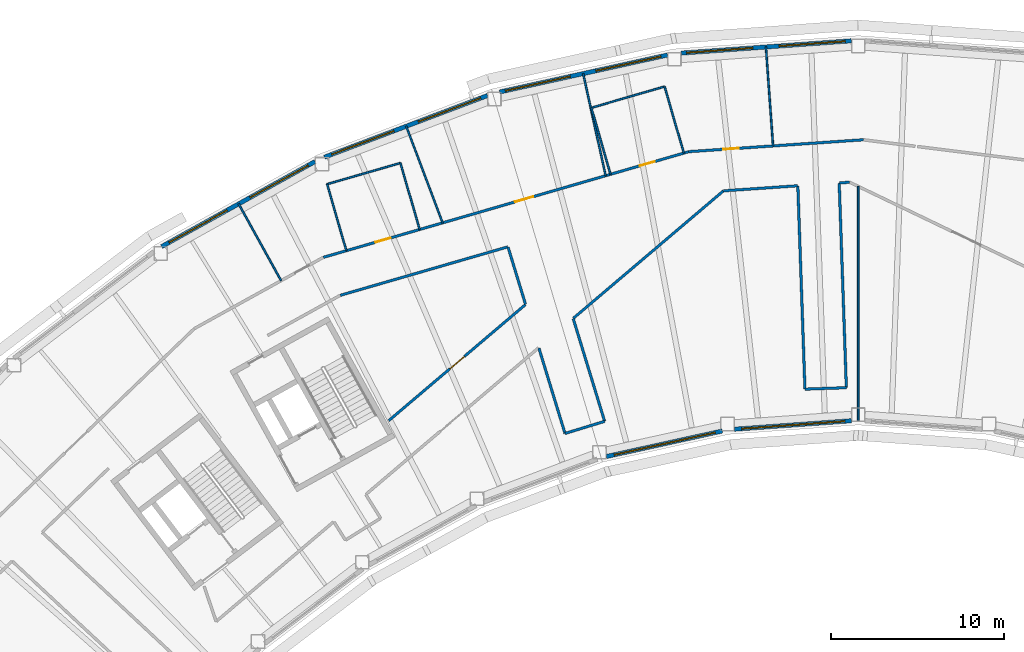
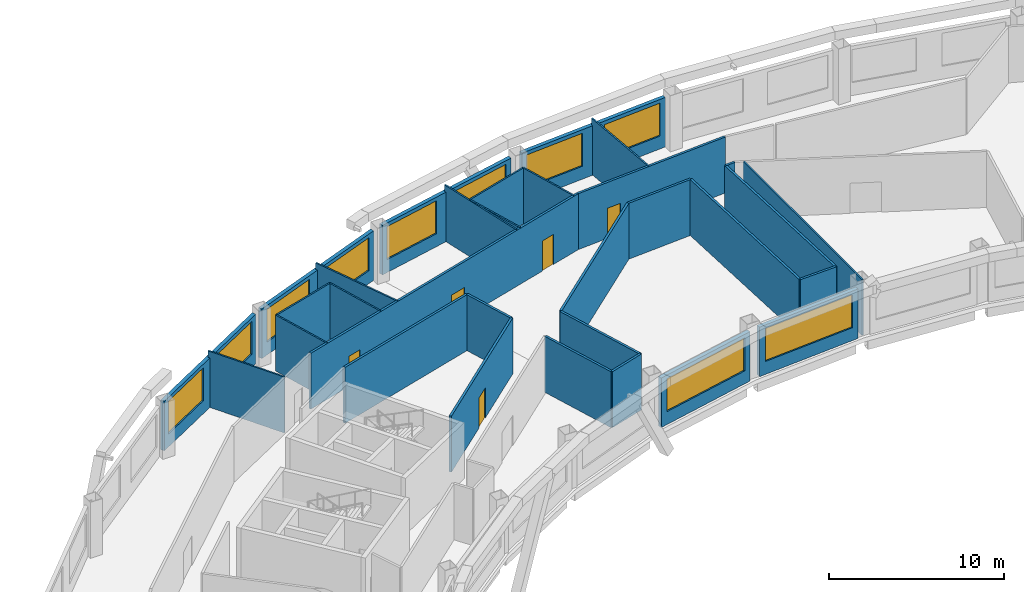
# One storey, part 6 of 15: 31 walls, 10 windows, 5 doors, 15 openings.
"""IFC4 building model written with IfcOpenShell, lengths in metres."""

from ifc_helpers import new_model, si_unit, direction, frame, frame_2d, origin, place, context, subcontext, project, spatial, rectangle, extrude, material, layer, layer_set, type_object, element, fill, save


model = new_model("IFC4")

# Units and contexts
model_context = context("Model", 3, precision=1e-05, world=origin(), true_north=direction((0.0, 1.0)))
body_context = subcontext(model_context, "Body", "Model", "MODEL_VIEW")
ifc_project = project(units=[si_unit("LENGTHUNIT", "METRE"), si_unit("AREAUNIT", "SQUARE_METRE"), si_unit("VOLUMEUNIT", "CUBIC_METRE"), si_unit("PLANEANGLEUNIT", "RADIAN"), si_unit("MASSUNIT", "GRAM", prefix="KILO")], contexts=[model_context])

# Site, building, storey
site_placement = place(None, origin())
site = spatial("IfcSite", under=ifc_project, at=site_placement, CompositionType="ELEMENT")
building_placement = place(site_placement, origin())
building = spatial("IfcBuilding", under=site, at=building_placement, Name="Tuul Gate Civic Tower", CompositionType="ELEMENT")
storey_placement = place(building_placement, frame((0.0, 0.0, 332.300048828125)))
storey = spatial("IfcBuildingStorey", under=building, at=storey_placement, Name="Level 75", CompositionType="ELEMENT", Elevation=332.300048828125)

# Wall, opening, door
ifc_material_1 = material(Name="Gypsum board partition")
ifc_layer_1 = layer(ifc_material_1, 0.14990234375)
ifc_layer_set_1 = layer_set([ifc_layer_1], Name="Gypsum board partition")
wall_type_1 = type_object("IfcWallType", Name="Corridor wall P150", PredefinedType="PARTITIONING", material=ifc_layer_set_1)
wall_1_placement = place(storey_placement, frame((-7.627197265625, 7.70263671875, 0.0), z_axis=(0.0, 0.0, 1.0), x_axis=(0.997685066746, 0.068003732193, 0.0)))
wall_1 = element("IfcWall", 1, at=wall_1_placement, inside=storey, type_object=wall_type_1, Name="p003", PredefinedType="PARTITIONING", context=body_context, shape_type="SweptSolid", body=[
    extrude(rectangle(XDim=10.138427734375, YDim=0.14990234375, at=frame_2d((5.0693359375, 0.0))), origin(), (0.0, 0.0, 1.0), 3.89990234375),
])
opening_1_placement = place(wall_1_placement, frame((2.013671875, 0.0, 0.0)))
opening_1 = element("IfcOpeningElement", 2, at=opening_1_placement, cuts=wall_1, Name="Opening AB-D11", PredefinedType="OPENING", context=body_context, shape_type="SweptSolid", body=[
    extrude(rectangle(XDim=0.89990234375, YDim=2.10009765625, at=frame_2d((0.449951171875, 1.050048828125))), frame((0.0, 0.0849609375, 0.0), z_axis=(0.0, -1.0, 0.0), x_axis=(1.0, 0.0, 0.0)), (0.0, 0.0, 1.0), 0.169921875),
])
ifc_material_2 = material(Name="Timber door leaf", Category="wood")
door_type_1 = type_object("IfcDoorType", Name="Door D09", OperationType="NOTDEFINED", PredefinedType="DOOR", material=ifc_material_2)
door_1_placement = place(opening_1_placement, origin())
door_1 = element("IfcDoor", 3, at=door_1_placement, inside=storey, type_object=door_type_1, Name="Door AB-D11", OperationType="SINGLE_SWING_RIGHT", OverallHeight=2.10009765625, OverallWidth=0.89990234375, PredefinedType="DOOR", context=body_context, shape_type="SweptSolid", body=[
    extrude(rectangle(XDim=0.89990234375, YDim=2.10009765625, at=frame_2d((0.449951171875, 1.050048828125))), frame((0.0, 0.02490234375, 0.0), z_axis=(0.0, -1.0, 0.0), x_axis=(1.0, 0.0, 0.0)), (0.0, 0.0, 1.0), 0.050048828125),
])
fill(opening_1, door_1)

# Wall, openings, doors
wall_2_placement = place(storey_placement, frame((-28.7939453125, 1.5810546875, 0.0), z_axis=(0.0, 0.0, 1.0), x_axis=(0.960632535505, 0.277822122461, 0.0)))
wall_2 = element("IfcWall", 4, at=wall_2_placement, inside=storey, type_object=wall_type_1, Name="p017", PredefinedType="PARTITIONING", context=body_context, shape_type="SweptSolid", body=[
    extrude(rectangle(XDim=22.0341796875, YDim=0.14990234375, at=frame_2d((11.01708984375, 0.0))), origin(), (0.0, 0.0, 1.0), 3.89990234375),
])
opening_2_placement = place(wall_2_placement, frame((19.080078125, 0.0, 0.0)))
opening_2 = element("IfcOpeningElement", 5, at=opening_2_placement, cuts=wall_2, Name="Opening AB-D02", PredefinedType="OPENING", context=body_context, shape_type="SweptSolid", body=[
    extrude(rectangle(XDim=0.89990234375, YDim=2.10009765625, at=frame_2d((0.449951171875, 1.050048828125))), frame((0.0, 0.0849609375, 0.0), z_axis=(0.0, -1.0, 0.0), x_axis=(1.0, 0.0, 0.0)), (0.0, 0.0, 1.0), 0.169921875),
])
opening_3_placement = place(wall_2_placement, frame((11.562744140625, 0.0, 0.0)))
opening_3 = element("IfcOpeningElement", 6, at=opening_3_placement, cuts=wall_2, Name="Opening AB-D03", PredefinedType="OPENING", context=body_context, shape_type="SweptSolid", body=[
    extrude(rectangle(XDim=1.10009765625, YDim=2.10009765625, at=frame_2d((0.550048828125, 1.050048828125))), frame((0.0, 0.0849609375, 0.0), z_axis=(0.0, -1.0, 0.0), x_axis=(1.0, 0.0, 0.0)), (0.0, 0.0, 1.0), 0.169921875),
])
opening_4_placement = place(wall_2_placement, frame((3.14990234375, 0.0, 0.0)))
opening_4 = element("IfcOpeningElement", 7, at=opening_4_placement, cuts=wall_2, Name="Opening AB-D04", PredefinedType="OPENING", context=body_context, shape_type="SweptSolid", body=[
    extrude(rectangle(XDim=0.89990234375, YDim=2.10009765625, at=frame_2d((0.449951171875, 1.050048828125))), frame((0.0, 0.0849609375, 0.0), z_axis=(0.0, -1.0, 0.0), x_axis=(1.0, 0.0, 0.0)), (0.0, 0.0, 1.0), 0.169921875),
])
door_2_placement = place(opening_2_placement, origin())
door_2 = element("IfcDoor", 8, at=door_2_placement, inside=storey, type_object=door_type_1, Name="Door AB-D02", OperationType="SINGLE_SWING_RIGHT", OverallHeight=2.10009765625, OverallWidth=0.89990234375, PredefinedType="DOOR", context=body_context, shape_type="SweptSolid", body=[
    extrude(rectangle(XDim=0.89990234375, YDim=2.10009765625, at=frame_2d((0.449951171875, 1.050048828125))), frame((0.0, 0.02490234375, 0.0), z_axis=(0.0, -1.0, 0.0), x_axis=(1.0, 0.0, 0.0)), (0.0, 0.0, 1.0), 0.050048828125),
])
fill(opening_2, door_2)
door_3_placement = place(opening_4_placement, origin())
door_3 = element("IfcDoor", 9, at=door_3_placement, inside=storey, type_object=door_type_1, Name="Door AB-D04", OperationType="SINGLE_SWING_RIGHT", OverallHeight=2.10009765625, OverallWidth=0.89990234375, PredefinedType="DOOR", context=body_context, shape_type="SweptSolid", body=[
    extrude(rectangle(XDim=0.89990234375, YDim=2.10009765625, at=frame_2d((0.449951171875, 1.050048828125))), frame((0.0, 0.02490234375, 0.0), z_axis=(0.0, -1.0, 0.0), x_axis=(1.0, 0.0, 0.0)), (0.0, 0.0, 1.0), 0.050048828125),
])
fill(opening_4, door_3)
ifc_material_3 = material(Name="Timber door leaf", Category="wood")
door_type_2 = type_object("IfcDoorType", Name="Door D11", OperationType="NOTDEFINED", PredefinedType="DOOR", material=ifc_material_3)
door_4_placement = place(opening_3_placement, origin())
door_4 = element("IfcDoor", 10, at=door_4_placement, inside=storey, type_object=door_type_2, Name="Door AB-D03", OperationType="SINGLE_SWING_RIGHT", OverallHeight=2.10009765625, OverallWidth=1.10009765625, PredefinedType="DOOR", context=body_context, shape_type="SweptSolid", body=[
    extrude(rectangle(XDim=1.10009765625, YDim=2.10009765625, at=frame_2d((0.550048828125, 1.050048828125))), frame((0.0, 0.02490234375, 0.0), z_axis=(0.0, -1.0, 0.0), x_axis=(1.0, 0.0, 0.0)), (0.0, 0.0, 1.0), 0.050048828125),
])
fill(opening_3, door_4)

# Walls
wall_3_placement = place(storey_placement, frame((-14.310302734375, -1.9482421875, 0.0), z_axis=(0.0, 0.0, 1.0), x_axis=(0.762343916127, 0.647172120494, 0.0)))
element("IfcWall", 11, at=wall_3_placement, inside=storey, type_object=wall_type_1, Name="p057", PredefinedType="PARTITIONING", context=body_context, shape_type="SweptSolid", body=[
    extrude(rectangle(XDim=11.400146484375, YDim=0.14990234375, at=frame_2d((5.7001953125, 0.0))), origin(), (0.0, 0.0, 1.0), 3.89990234375),
])
wall_4_placement = place(storey_placement, frame((-18.092529296875, 2.1728515625, 0.0), z_axis=(0.0, 0.0, 1.0), x_axis=(0.292335056515, -0.956315959677, 0.0)))
element("IfcWall", 12, at=wall_4_placement, inside=storey, type_object=wall_type_1, Name="p061", PredefinedType="PARTITIONING", context=body_context, shape_type="SweptSolid", body=[
    extrude(rectangle(XDim=3.4599609375, YDim=0.14990234375, at=frame_2d((1.72998046875, 0.0))), origin(), (0.0, 0.0, 1.0), 3.89990234375),
])
wall_5_placement = place(storey_placement, frame((-16.30419921875, -3.67724609375, 0.0), z_axis=(0.0, 0.0, 1.0), x_axis=(0.292375757816, -0.956303516799, 0.0)))
element("IfcWall", 13, at=wall_5_placement, inside=storey, type_object=wall_type_1, Name="p062", PredefinedType="PARTITIONING", context=body_context, shape_type="SweptSolid", body=[
    extrude(rectangle(XDim=5.16796875, YDim=0.14990234375, at=frame_2d((2.583984375, 0.0))), origin(), (0.0, 0.0, 1.0), 3.89990234375),
])
wall_6_placement = place(storey_placement, frame((-14.793212890625, -8.619384765625, 0.0), z_axis=(0.0, 0.0, 1.0), x_axis=(0.956309708568, 0.292355504991, 0.0)))
element("IfcWall", 14, at=wall_6_placement, inside=storey, type_object=wall_type_1, Name="p063", PredefinedType="PARTITIONING", context=body_context, shape_type="SweptSolid", body=[
    extrude(rectangle(XDim=2.39990234375, YDim=0.14990234375, at=frame_2d((1.199951171875, 0.0))), origin(), (0.0, 0.0, 1.0), 3.89990234375),
])
wall_7_placement = place(storey_placement, frame((-14.316650390625, -1.96923828125, 0.0), z_axis=(0.0, 0.0, 1.0), x_axis=(0.292367108345, -0.956306161205, 0.0)))
element("IfcWall", 15, at=wall_7_placement, inside=storey, type_object=wall_type_1, Name="p064", PredefinedType="PARTITIONING", context=body_context, shape_type="SweptSolid", body=[
    extrude(rectangle(XDim=6.22021484375, YDim=0.14990234375, at=frame_2d((3.110107421875, 0.0))), origin(), (0.0, 0.0, 1.0), 3.89990234375),
])
wall_8_placement = place(storey_placement, frame((-5.610107421875, 5.4345703125, 0.0), z_axis=(0.0, 0.0, 1.0), x_axis=(0.997684131253, 0.068017455451, 0.0)))
element("IfcWall", 16, at=wall_8_placement, inside=storey, type_object=wall_type_1, Name="p065", PredefinedType="PARTITIONING", context=body_context, shape_type="SweptSolid", body=[
    extrude(rectangle(XDim=4.29296875, YDim=0.14990234375, at=frame_2d((2.146484375, 0.0))), origin(), (0.0, 0.0, 1.0), 3.89990234375),
])
wall_9_placement = place(storey_placement, frame((1.108642578125, 5.892578125, 0.0), z_axis=(0.0, 0.0, 1.0), x_axis=(0.997668816665, 0.06824171931, 0.0)))
element("IfcWall", 17, at=wall_9_placement, inside=storey, type_object=wall_type_1, Name="p066", PredefinedType="PARTITIONING", context=body_context, shape_type="SweptSolid", body=[
    extrude(rectangle(XDim=0.583251953125, YDim=0.14990234375, at=frame_2d((0.29150390625, 0.0))), origin(), (0.0, 0.0, 1.0), 3.89990234375),
])
wall_10_placement = place(storey_placement, frame((-1.305908203125, 5.707275390625, 0.0), z_axis=(0.0, 0.0, 1.0), x_axis=(0.034918900954, -0.999390149219, 0.0)))
element("IfcWall", 18, at=wall_10_placement, inside=storey, type_object=wall_type_1, Name="p067", PredefinedType="PARTITIONING", context=body_context, shape_type="SweptSolid", body=[
    extrude(rectangle(XDim=11.766845703125, YDim=0.14990234375, at=frame_2d((5.88330078125, 0.0))), origin(), (0.0, 0.0, 1.0), 3.89990234375),
])
wall_11_placement = place(storey_placement, frame((-0.89501953125, -6.052490234375, 0.0), z_axis=(0.0, 0.0, 1.0), x_axis=(0.999387493042, 0.034994838926, 0.0)))
element("IfcWall", 19, at=wall_11_placement, inside=storey, type_object=wall_type_1, Name="p068", PredefinedType="PARTITIONING", context=body_context, shape_type="SweptSolid", body=[
    extrude(rectangle(XDim=2.39990234375, YDim=0.14990234375, at=frame_2d((1.199951171875, 0.0))), origin(), (0.0, 0.0, 1.0), 3.89990234375),
])
wall_12_placement = place(storey_placement, frame((1.090087890625, 5.875732421875, 0.0), z_axis=(0.0, 0.0, 1.0), x_axis=(0.034875913426, -0.999391650287, 0.0)))
element("IfcWall", 20, at=wall_12_placement, inside=storey, type_object=wall_type_1, Name="p069", PredefinedType="PARTITIONING", context=body_context, shape_type="SweptSolid", body=[
    extrude(rectangle(XDim=11.8515625, YDim=0.14990234375, at=frame_2d((5.92578125, 0.0))), origin(), (0.0, 0.0, 1.0), 3.89990234375),
])
wall_13_placement = place(storey_placement, frame((-27.810302734375, -0.6181640625, 0.0), z_axis=(0.0, 0.0, 1.0), x_axis=(0.960602858486, 0.277924716909, 0.0)))
element("IfcWall", 21, at=wall_13_placement, inside=storey, type_object=wall_type_1, Name="p074", PredefinedType="PARTITIONING", context=body_context, shape_type="SweptSolid", body=[
    extrude(rectangle(XDim=10.090576171875, YDim=0.14990234375, at=frame_2d((5.04541015625, 0.0))), origin(), (0.0, 0.0, 1.0), 3.89990234375),
])

# Wall, opening, door
wall_14_placement = place(storey_placement, frame((-25.00390625, -7.878173828125, 0.0), z_axis=(0.0, 0.0, 1.0), x_axis=(0.762321434151, 0.647198602466, 0.0)))
wall_14 = element("IfcWall", 22, at=wall_14_placement, inside=storey, type_object=wall_type_1, Name="p075", PredefinedType="PARTITIONING", context=body_context, shape_type="SweptSolid", body=[
    extrude(rectangle(XDim=10.385009765625, YDim=0.14990234375, at=frame_2d((5.1923828125, 0.0))), origin(), (0.0, 0.0, 1.0), 3.89990234375),
])
opening_5_placement = place(wall_14_placement, frame((4.642578125, 0.0, 0.0)))
opening_5 = element("IfcOpeningElement", 23, at=opening_5_placement, cuts=wall_14, Name="Opening AB-D10", PredefinedType="OPENING", context=body_context, shape_type="SweptSolid", body=[
    extrude(rectangle(XDim=1.10009765625, YDim=2.10009765625, at=frame_2d((0.550048828125, 1.050048828125))), frame((0.0, 0.0849609375, 0.0), z_axis=(0.0, -1.0, 0.0), x_axis=(1.0, 0.0, 0.0)), (0.0, 0.0, 1.0), 0.169921875),
])
door_5_placement = place(opening_5_placement, origin())
door_5 = element("IfcDoor", 24, at=door_5_placement, inside=storey, type_object=door_type_2, Name="Door AB-D10", OperationType="SINGLE_SWING_RIGHT", OverallHeight=2.10009765625, OverallWidth=1.10009765625, PredefinedType="DOOR", context=body_context, shape_type="SweptSolid", body=[
    extrude(rectangle(XDim=1.10009765625, YDim=2.10009765625, at=frame_2d((0.550048828125, 1.050048828125))), frame((0.0, 0.02490234375, 0.0), z_axis=(0.0, -1.0, 0.0), x_axis=(1.0, 0.0, 0.0)), (0.0, 0.0, 1.0), 0.050048828125),
])
fill(opening_5, door_5)

# Wall, openings, windows
ifc_material_4 = material(Name="Precast concrete C40/50", Category="concrete")
ifc_layer_2 = layer(ifc_material_4, 0.25)
ifc_layer_set_2 = layer_set([ifc_layer_2], Name="Precast concrete C40/50")
wall_type_2 = type_object("IfcWallType", Name="External wall", PredefinedType="STANDARD", material=ifc_layer_set_2)
wall_15_placement = place(storey_placement, frame((1.7919921875, 14.124755859375, 0.0), z_axis=(0.0, 0.0, 1.0), x_axis=(-0.997387042659, -0.072243249762, 0.0)))
wall_15 = element("IfcWall", 25, at=wall_15_placement, inside=storey, type_object=wall_type_2, Name="External wall", PredefinedType="STANDARD", context=body_context, shape_type="SweptSolid", body=[
    extrude(rectangle(XDim=9.874755859375, YDim=0.25, at=frame_2d((4.9375, 0.0))), origin(), (0.0, 0.0, 1.0), 3.449951171875),
])
opening_6_placement = place(wall_15_placement, frame((0.350341796875, 0.0, 0.89990234375)))
opening_6 = element("IfcOpeningElement", 26, at=opening_6_placement, cuts=wall_15, Name="Opening W22", PredefinedType="OPENING", context=body_context, shape_type="SweptSolid", body=[
    extrude(rectangle(XDim=3.85009765625, YDim=2.300048828125, at=frame_2d((1.925048828125, 1.14990234375))), frame((0.0, 0.135009765625, 0.0), z_axis=(0.0, -1.0, 0.0), x_axis=(1.0, 0.0, 0.0)), (0.0, 0.0, 1.0), 0.27001953125),
])
opening_7_placement = place(wall_15_placement, frame((5.721435546875, 0.0, 0.89990234375)))
opening_7 = element("IfcOpeningElement", 27, at=opening_7_placement, cuts=wall_15, Name="Opening W22", PredefinedType="OPENING", context=body_context, shape_type="SweptSolid", body=[
    extrude(rectangle(XDim=3.85009765625, YDim=2.300048828125, at=frame_2d((1.925048828125, 1.14990234375))), frame((0.0, 0.135009765625, 0.0), z_axis=(0.0, -1.0, 0.0), x_axis=(1.0, 0.0, 0.0)), (0.0, 0.0, 1.0), 0.27001953125),
])
ifc_material_5 = material(Name="Glass", Category="glass")
window_type_1 = type_object("IfcWindowType", Name="Window W22 3850 x 2300", PartitioningType="SINGLE_PANEL", PredefinedType="WINDOW", material=ifc_material_5)
window_1_placement = place(opening_6_placement, origin())
window_1 = element("IfcWindow", 28, at=window_1_placement, inside=storey, type_object=window_type_1, Name="Window", OverallHeight=2.300048828125, OverallWidth=3.85009765625, PartitioningType="SINGLE_PANEL", PredefinedType="WINDOW", context=body_context, shape_type="SweptSolid", body=[
    extrude(rectangle(XDim=3.85009765625, YDim=2.300048828125, at=frame_2d((1.925048828125, 1.14990234375))), frame((0.0, 0.030029296875, 0.0), z_axis=(0.0, -1.0, 0.0), x_axis=(1.0, 0.0, 0.0)), (0.0, 0.0, 1.0), 0.06005859375),
])
fill(opening_6, window_1)
window_2_placement = place(opening_7_placement, origin())
window_2 = element("IfcWindow", 29, at=window_2_placement, inside=storey, type_object=window_type_1, Name="Window", OverallHeight=2.300048828125, OverallWidth=3.85009765625, PartitioningType="SINGLE_PANEL", PredefinedType="WINDOW", context=body_context, shape_type="SweptSolid", body=[
    extrude(rectangle(XDim=3.85009765625, YDim=2.300048828125, at=frame_2d((1.925048828125, 1.14990234375))), frame((0.0, 0.030029296875, 0.0), z_axis=(0.0, -1.0, 0.0), x_axis=(1.0, 0.0, 0.0)), (0.0, 0.0, 1.0), 0.06005859375),
])
fill(opening_7, window_2)

wall_16_placement = place(storey_placement, frame((-8.85693359375, 13.30126953125, 0.0), z_axis=(0.0, 0.0, 1.0), x_axis=(-0.97656455672, -0.215224688544, 0.0)))
wall_16 = element("IfcWall", 30, at=wall_16_placement, inside=storey, type_object=wall_type_2, Name="External wall", PredefinedType="STANDARD", context=body_context, shape_type="SweptSolid", body=[
    extrude(rectangle(XDim=9.95849609375, YDim=0.25, at=frame_2d((4.979248046875, 0.0))), origin(), (0.0, 0.0, 1.0), 3.449951171875),
])
opening_8_placement = place(wall_16_placement, frame((0.39013671875, 0.0, 0.89990234375)))
opening_8 = element("IfcOpeningElement", 31, at=opening_8_placement, cuts=wall_16, Name="Opening W22", PredefinedType="OPENING", context=body_context, shape_type="SweptSolid", body=[
    extrude(rectangle(XDim=3.85009765625, YDim=2.300048828125, at=frame_2d((1.925048828125, 1.14990234375))), frame((0.0, 0.135009765625, 0.0), z_axis=(0.0, -1.0, 0.0), x_axis=(1.0, 0.0, 0.0)), (0.0, 0.0, 1.0), 0.27001953125),
])
opening_9_placement = place(wall_16_placement, frame((5.761474609375, 0.0, 0.89990234375)))
opening_9 = element("IfcOpeningElement", 32, at=opening_9_placement, cuts=wall_16, Name="Opening W22", PredefinedType="OPENING", context=body_context, shape_type="SweptSolid", body=[
    extrude(rectangle(XDim=3.85009765625, YDim=2.300048828125, at=frame_2d((1.925048828125, 1.14990234375))), frame((0.0, 0.135009765625, 0.0), z_axis=(0.0, -1.0, 0.0), x_axis=(1.0, 0.0, 0.0)), (0.0, 0.0, 1.0), 0.27001953125),
])
window_3_placement = place(opening_8_placement, origin())
window_3 = element("IfcWindow", 33, at=window_3_placement, inside=storey, type_object=window_type_1, Name="Window", OverallHeight=2.300048828125, OverallWidth=3.85009765625, PartitioningType="SINGLE_PANEL", PredefinedType="WINDOW", context=body_context, shape_type="SweptSolid", body=[
    extrude(rectangle(XDim=3.85009765625, YDim=2.300048828125, at=frame_2d((1.925048828125, 1.14990234375))), frame((0.0, 0.030029296875, 0.0), z_axis=(0.0, -1.0, 0.0), x_axis=(1.0, 0.0, 0.0)), (0.0, 0.0, 1.0), 0.06005859375),
])
fill(opening_8, window_3)
window_4_placement = place(opening_9_placement, origin())
window_4 = element("IfcWindow", 34, at=window_4_placement, inside=storey, type_object=window_type_1, Name="Window", OverallHeight=2.300048828125, OverallWidth=3.85009765625, PartitioningType="SINGLE_PANEL", PredefinedType="WINDOW", context=body_context, shape_type="SweptSolid", body=[
    extrude(rectangle(XDim=3.85009765625, YDim=2.300048828125, at=frame_2d((1.925048828125, 1.14990234375))), frame((0.0, 0.030029296875, 0.0), z_axis=(0.0, -1.0, 0.0), x_axis=(1.0, 0.0, 0.0)), (0.0, 0.0, 1.0), 0.06005859375),
])
fill(opening_9, window_4)

wall_17_placement = place(storey_placement, frame((-19.284912109375, 10.95458984375, 0.0), z_axis=(0.0, 0.0, 1.0), x_axis=(-0.93534700963, -0.353731496444, 0.0)))
wall_17 = element("IfcWall", 35, at=wall_17_placement, inside=storey, type_object=wall_type_2, Name="External wall", PredefinedType="STANDARD", context=body_context, shape_type="SweptSolid", body=[
    extrude(rectangle(XDim=10.099609375, YDim=0.25, at=frame_2d((5.0498046875, 0.0))), origin(), (0.0, 0.0, 1.0), 3.449951171875),
])
opening_10_placement = place(wall_17_placement, frame((0.422607421875, 0.0, 0.89990234375)))
opening_10 = element("IfcOpeningElement", 36, at=opening_10_placement, cuts=wall_17, Name="Opening W22", PredefinedType="OPENING", context=body_context, shape_type="SweptSolid", body=[
    extrude(rectangle(XDim=3.85009765625, YDim=2.300048828125, at=frame_2d((1.925048828125, 1.14990234375))), frame((0.0, 0.135009765625, 0.0), z_axis=(0.0, -1.0, 0.0), x_axis=(1.0, 0.0, 0.0)), (0.0, 0.0, 1.0), 0.27001953125),
])
opening_11_placement = place(wall_17_placement, frame((5.7939453125, 0.0, 0.89990234375)))
opening_11 = element("IfcOpeningElement", 37, at=opening_11_placement, cuts=wall_17, Name="Opening W22", PredefinedType="OPENING", context=body_context, shape_type="SweptSolid", body=[
    extrude(rectangle(XDim=3.85009765625, YDim=2.300048828125, at=frame_2d((1.925048828125, 1.14990234375))), frame((0.0, 0.135009765625, 0.0), z_axis=(0.0, -1.0, 0.0), x_axis=(1.0, 0.0, 0.0)), (0.0, 0.0, 1.0), 0.27001953125),
])
window_5_placement = place(opening_10_placement, origin())
window_5 = element("IfcWindow", 38, at=window_5_placement, inside=storey, type_object=window_type_1, Name="Window", OverallHeight=2.300048828125, OverallWidth=3.85009765625, PartitioningType="SINGLE_PANEL", PredefinedType="WINDOW", context=body_context, shape_type="SweptSolid", body=[
    extrude(rectangle(XDim=3.85009765625, YDim=2.300048828125, at=frame_2d((1.925048828125, 1.14990234375))), frame((0.0, 0.030029296875, 0.0), z_axis=(0.0, -1.0, 0.0), x_axis=(1.0, 0.0, 0.0)), (0.0, 0.0, 1.0), 0.06005859375),
])
fill(opening_10, window_5)
window_6_placement = place(opening_11_placement, origin())
window_6 = element("IfcWindow", 39, at=window_6_placement, inside=storey, type_object=window_type_1, Name="Window", OverallHeight=2.300048828125, OverallWidth=3.85009765625, PartitioningType="SINGLE_PANEL", PredefinedType="WINDOW", context=body_context, shape_type="SweptSolid", body=[
    extrude(rectangle(XDim=3.85009765625, YDim=2.300048828125, at=frame_2d((1.925048828125, 1.14990234375))), frame((0.0, 0.030029296875, 0.0), z_axis=(0.0, -1.0, 0.0), x_axis=(1.0, 0.0, 0.0)), (0.0, 0.0, 1.0), 0.06005859375),
])
fill(opening_11, window_6)

wall_18_placement = place(storey_placement, frame((-29.27197265625, 7.131103515625, 0.0), z_axis=(0.0, 0.0, 1.0), x_axis=(-0.87463511472, -0.484781823193, 0.0)))
wall_18 = element("IfcWall", 40, at=wall_18_placement, inside=storey, type_object=wall_type_2, Name="External wall", PredefinedType="STANDARD", context=body_context, shape_type="SweptSolid", body=[
    extrude(rectangle(XDim=10.161376953125, YDim=0.25, at=frame_2d((5.08056640625, 0.0))), origin(), (0.0, 0.0, 1.0), 3.449951171875),
])
opening_12_placement = place(wall_18_placement, frame((0.4501953125, 0.0, 0.89990234375)))
opening_12 = element("IfcOpeningElement", 41, at=opening_12_placement, cuts=wall_18, Name="Opening W22", PredefinedType="OPENING", context=body_context, shape_type="SweptSolid", body=[
    extrude(rectangle(XDim=3.85009765625, YDim=2.300048828125, at=frame_2d((1.925048828125, 1.14990234375))), frame((0.0, 0.135009765625, 0.0), z_axis=(0.0, -1.0, 0.0), x_axis=(1.0, 0.0, 0.0)), (0.0, 0.0, 1.0), 0.27001953125),
])
opening_13_placement = place(wall_18_placement, frame((5.821533203125, 0.0, 0.89990234375)))
opening_13 = element("IfcOpeningElement", 42, at=opening_13_placement, cuts=wall_18, Name="Opening W22", PredefinedType="OPENING", context=body_context, shape_type="SweptSolid", body=[
    extrude(rectangle(XDim=3.85009765625, YDim=2.300048828125, at=frame_2d((1.925048828125, 1.14990234375))), frame((0.0, 0.135009765625, 0.0), z_axis=(0.0, -1.0, 0.0), x_axis=(1.0, 0.0, 0.0)), (0.0, 0.0, 1.0), 0.27001953125),
])
window_7_placement = place(opening_12_placement, origin())
window_7 = element("IfcWindow", 43, at=window_7_placement, inside=storey, type_object=window_type_1, Name="Window", OverallHeight=2.300048828125, OverallWidth=3.85009765625, PartitioningType="SINGLE_PANEL", PredefinedType="WINDOW", context=body_context, shape_type="SweptSolid", body=[
    extrude(rectangle(XDim=3.85009765625, YDim=2.300048828125, at=frame_2d((1.925048828125, 1.14990234375))), frame((0.0, 0.030029296875, 0.0), z_axis=(0.0, -1.0, 0.0), x_axis=(1.0, 0.0, 0.0)), (0.0, 0.0, 1.0), 0.06005859375),
])
fill(opening_12, window_7)
window_8_placement = place(opening_13_placement, origin())
window_8 = element("IfcWindow", 44, at=window_8_placement, inside=storey, type_object=window_type_1, Name="Window", OverallHeight=2.300048828125, OverallWidth=3.85009765625, PartitioningType="SINGLE_PANEL", PredefinedType="WINDOW", context=body_context, shape_type="SweptSolid", body=[
    extrude(rectangle(XDim=3.85009765625, YDim=2.300048828125, at=frame_2d((1.925048828125, 1.14990234375))), frame((0.0, 0.030029296875, 0.0), z_axis=(0.0, -1.0, 0.0), x_axis=(1.0, 0.0, 0.0)), (0.0, 0.0, 1.0), 0.06005859375),
])
fill(opening_13, window_8)

# Wall, opening, window
wall_19_placement = place(storey_placement, frame((-12.39404296875, -9.955322265625, 0.0), z_axis=(0.0, 0.0, 1.0), x_axis=(0.976561146318, 0.215240162382, 0.0)))
wall_19 = element("IfcWall", 45, at=wall_19_placement, inside=storey, type_object=wall_type_2, Name="External wall", PredefinedType="STANDARD", context=body_context, shape_type="SweptSolid", body=[
    extrude(rectangle(XDim=6.867919921875, YDim=0.25, at=frame_2d((3.43408203125, 0.0))), origin(), (0.0, 0.0, 1.0), 3.449951171875),
])
opening_14_placement = place(wall_19_placement, frame((0.458251953125, 0.0, 0.89990234375)))
opening_14 = element("IfcOpeningElement", 46, at=opening_14_placement, cuts=wall_19, Name="Opening W26", PredefinedType="OPENING", context=body_context, shape_type="SweptSolid", body=[
    extrude(rectangle(XDim=6.0, YDim=2.300048828125, at=frame_2d((3.0, 1.14990234375))), frame((0.0, 0.135009765625, 0.0), z_axis=(0.0, -1.0, 0.0), x_axis=(1.0, 0.0, 0.0)), (0.0, 0.0, 1.0), 0.27001953125),
])
ifc_material_6 = material(Name="Glass", Category="glass")
window_type_2 = type_object("IfcWindowType", Name="Window W26 6000 x 2300", PartitioningType="SINGLE_PANEL", PredefinedType="WINDOW", material=ifc_material_6)
window_9_placement = place(opening_14_placement, origin())
window_9 = element("IfcWindow", 47, at=window_9_placement, inside=storey, type_object=window_type_2, Name="Window", OverallHeight=2.300048828125, OverallWidth=6.0, PartitioningType="SINGLE_PANEL", PredefinedType="WINDOW", context=body_context, shape_type="SweptSolid", body=[
    extrude(rectangle(XDim=6.0, YDim=2.300048828125, at=frame_2d((3.0, 1.14990234375))), frame((0.0, 0.030029296875, 0.0), z_axis=(0.0, -1.0, 0.0), x_axis=(1.0, 0.0, 0.0)), (0.0, 0.0, 1.0), 0.06005859375),
])
fill(opening_14, window_9)

wall_20_placement = place(storey_placement, frame((-4.97998046875, -8.373291015625, 0.0), z_axis=(0.0, 0.0, 1.0), x_axis=(0.997384795983, 0.072274260578, 0.0)))
wall_20 = element("IfcWall", 48, at=wall_20_placement, inside=storey, type_object=wall_type_2, Name="External wall", PredefinedType="STANDARD", context=body_context, shape_type="SweptSolid", body=[
    extrude(rectangle(XDim=6.789794921875, YDim=0.25, at=frame_2d((3.39501953125, 0.0))), origin(), (0.0, 0.0, 1.0), 3.449951171875),
])
opening_15_placement = place(wall_20_placement, frame((0.41845703125, 0.0, 0.89990234375)))
opening_15 = element("IfcOpeningElement", 49, at=opening_15_placement, cuts=wall_20, Name="Opening W26", PredefinedType="OPENING", context=body_context, shape_type="SweptSolid", body=[
    extrude(rectangle(XDim=6.0, YDim=2.300048828125, at=frame_2d((3.0, 1.14990234375))), frame((0.0, 0.135009765625, 0.0), z_axis=(0.0, -1.0, 0.0), x_axis=(1.0, 0.0, 0.0)), (0.0, 0.0, 1.0), 0.27001953125),
])
window_10_placement = place(opening_15_placement, origin())
window_10 = element("IfcWindow", 50, at=window_10_placement, inside=storey, type_object=window_type_2, Name="Window", OverallHeight=2.300048828125, OverallWidth=6.0, PartitioningType="SINGLE_PANEL", PredefinedType="WINDOW", context=body_context, shape_type="SweptSolid", body=[
    extrude(rectangle(XDim=6.0, YDim=2.300048828125, at=frame_2d((3.0, 1.14990234375))), frame((0.0, 0.030029296875, 0.0), z_axis=(0.0, -1.0, 0.0), x_axis=(1.0, 0.0, 0.0)), (0.0, 0.0, 1.0), 0.06005859375),
])
fill(opening_15, window_10)

# Walls
ifc_material_7 = material(Name="Gypsum board partition")
ifc_layer_3 = layer(ifc_material_7, 0.10009765625)
ifc_layer_set_3 = layer_set([ifc_layer_3], Name="Gypsum board partition")
wall_type_3 = type_object("IfcWallType", Name="Partition P100", PredefinedType="PARTITIONING", material=ifc_layer_set_3)
wall_21_placement = place(storey_placement, frame((-3.156494140625, 13.771240234375, 0.0), z_axis=(0.0, 0.0, 1.0), x_axis=(0.072218559555, -0.997388830725, 0.0)))
element("IfcWall", 51, at=wall_21_placement, inside=storey, type_object=wall_type_3, Name="p016", PredefinedType="PARTITIONING", context=body_context, shape_type="SweptSolid", body=[
    extrude(rectangle(XDim=5.75048828125, YDim=0.10009765625, at=frame_2d((2.875244140625, 0.0))), origin(), (0.0, 0.0, 1.0), 3.89990234375),
])
wall_22_placement = place(storey_placement, frame((-13.269775390625, 10.2451171875, 0.0), z_axis=(0.0, 0.0, 1.0), x_axis=(0.2778156193, -0.960634416244, 0.0)))
element("IfcWall", 52, at=wall_22_placement, inside=storey, type_object=wall_type_3, Name="p018", PredefinedType="PARTITIONING", context=body_context, shape_type="SweptSolid", body=[
    extrude(rectangle(XDim=4.010009765625, YDim=0.10009765625, at=frame_2d((2.0048828125, 0.0))), origin(), (0.0, 0.0, 1.0), 3.89990234375),
])
wall_23_placement = place(storey_placement, frame((-28.57275390625, 5.8193359375, 0.0), z_axis=(0.0, 0.0, 1.0), x_axis=(0.960626747961, 0.277842133416, 0.0)))
element("IfcWall", 53, at=wall_23_placement, inside=storey, type_object=wall_type_3, Name="p019", PredefinedType="PARTITIONING", context=body_context, shape_type="SweptSolid", body=[
    extrude(rectangle(XDim=4.419921875, YDim=0.10009765625, at=frame_2d((2.2099609375, 0.0))), origin(), (0.0, 0.0, 1.0), 3.89990234375),
])
wall_24_placement = place(storey_placement, frame((-13.269775390625, 10.2451171875, 0.0), z_axis=(0.0, 0.0, 1.0), x_axis=(0.960631011712, 0.277827391267, 0.0)))
element("IfcWall", 54, at=wall_24_placement, inside=storey, type_object=wall_type_3, Name="p020", PredefinedType="PARTITIONING", context=body_context, shape_type="SweptSolid", body=[
    extrude(rectangle(XDim=4.420166015625, YDim=0.10009765625, at=frame_2d((2.2099609375, 0.0))), origin(), (0.0, 0.0, 1.0), 3.89990234375),
])
wall_25_placement = place(storey_placement, frame((-9.023681640625, 11.47314453125, 0.0), z_axis=(0.0, 0.0, 1.0), x_axis=(0.2778156193, -0.960634416244, 0.0)))
element("IfcWall", 55, at=wall_25_placement, inside=storey, type_object=wall_type_3, Name="p021", PredefinedType="PARTITIONING", context=body_context, shape_type="SweptSolid", body=[
    extrude(rectangle(XDim=4.010009765625, YDim=0.10009765625, at=frame_2d((2.0048828125, 0.0))), origin(), (0.0, 0.0, 1.0), 3.89990234375),
])
wall_26_placement = place(storey_placement, frame((-13.7421875, 12.229736328125, 0.0), z_axis=(0.0, 0.0, 1.0), x_axis=(0.215236786577, -0.97656189036, 0.0)))
element("IfcWall", 56, at=wall_26_placement, inside=storey, type_object=wall_type_3, Name="p022", PredefinedType="PARTITIONING", context=body_context, shape_type="SweptSolid", body=[
    extrude(rectangle(XDim=6.060546875, YDim=0.10009765625, at=frame_2d((3.0302734375, 0.0))), origin(), (0.0, 0.0, 1.0), 3.89990234375),
])
wall_27_placement = place(storey_placement, frame((-23.994873046875, 9.1787109375, 0.0), z_axis=(0.0, 0.0, 1.0), x_axis=(0.353697261747, -0.935359955863, 0.0)))
element("IfcWall", 57, at=wall_27_placement, inside=storey, type_object=wall_type_3, Name="p023", PredefinedType="PARTITIONING", context=body_context, shape_type="SweptSolid", body=[
    extrude(rectangle(XDim=5.984375, YDim=0.10009765625, at=frame_2d((2.9921875, 0.0))), origin(), (0.0, 0.0, 1.0), 3.89990234375),
])
for number, where, z_axis, x_axis, name in (
    (58, (-28.57275390625, 5.8193359375, 0.0), (0.0, 0.0, 1.0), (0.2778156193, -0.960634416244, 0.0), "p024"),
    (59, (-24.326904296875, 7.04736328125, 0.0), (0.0, 0.0, 1.0), (0.2778156193, -0.960634416244, 0.0), "p025"),
):
    element("IfcWall", number, at=place(storey_placement, frame(where, z_axis=z_axis, x_axis=x_axis)), inside=storey, type_object=wall_type_3, Name=name, PredefinedType="PARTITIONING", context=body_context, shape_type="SweptSolid", body=[
        extrude(rectangle(XDim=4.010009765625, YDim=0.10009765625, at=frame_2d((2.0048828125, 0.0))), origin(), (0.0, 0.0, 1.0), 3.89990234375),
    ])
wall_28_placement = place(storey_placement, frame((-33.700927734375, 4.681884765625, 0.0), z_axis=(0.0, 0.0, 1.0), x_axis=(0.484799250798, -0.874625454938, 0.0)))
element("IfcWall", 60, at=wall_28_placement, inside=storey, type_object=wall_type_3, Name="p032", PredefinedType="PARTITIONING", context=body_context, shape_type="SweptSolid", body=[
    extrude(rectangle(XDim=5.087158203125, YDim=0.10009765625, at=frame_2d((2.54345703125, 0.0))), origin(), (0.0, 0.0, 1.0), 3.89990234375),
])
wall_29_placement = place(storey_placement, frame((2.19189453125, -7.858642578125, 0.0), z_axis=(0.0, 0.0, 1.0), x_axis=(0.0, 1.0, 0.0)))
element("IfcWall", 61, at=wall_29_placement, inside=storey, type_object=wall_type_3, Name="p043", PredefinedType="PARTITIONING", context=body_context, shape_type="SweptSolid", body=[
    extrude(rectangle(XDim=13.550537109375, YDim=0.10009765625, at=frame_2d((6.775390625, 0.0))), origin(), (0.0, 0.0, 1.0), 3.89990234375),
])

save(model, "model.ifc")
